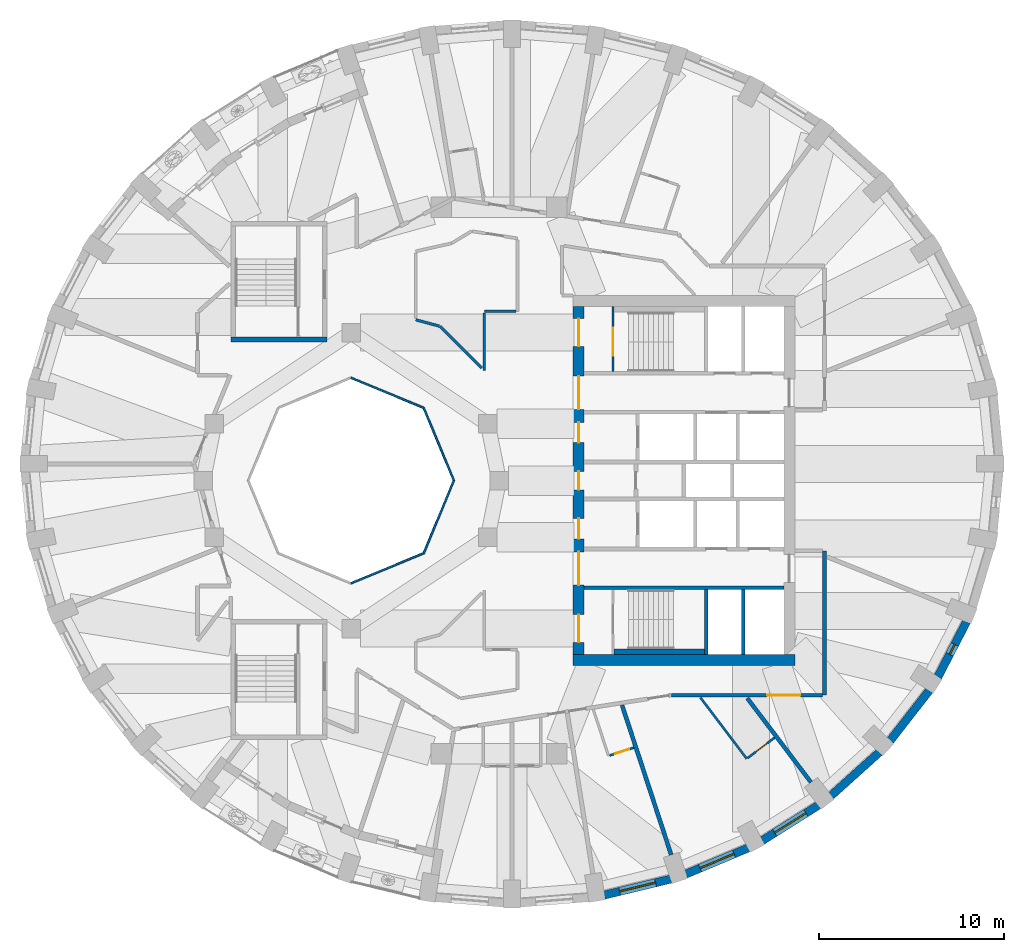
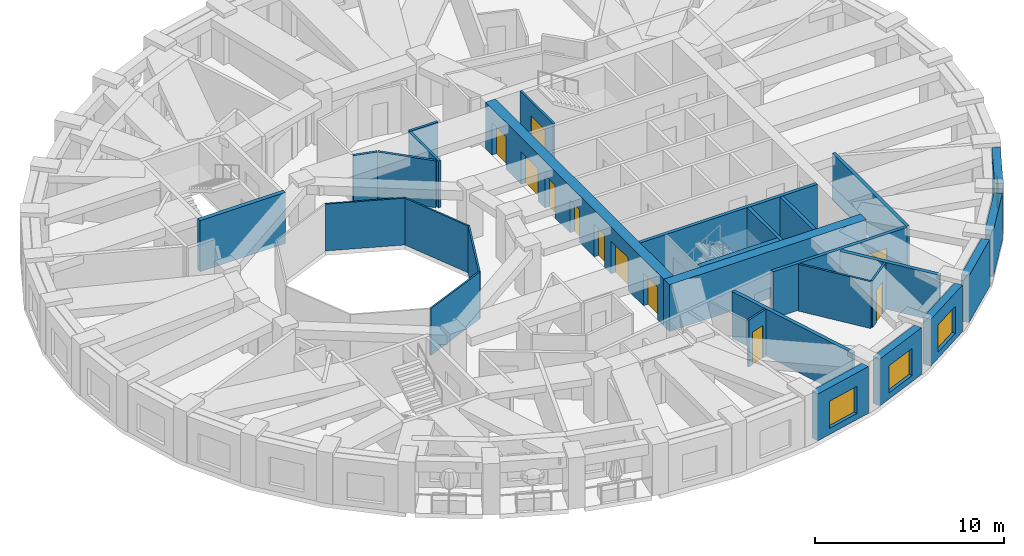
# One storey, part 5 of 12: 29 walls, 11 doors, 4 windows, 15 openings.
"""IFC4 building model written with IfcOpenShell, lengths in metres."""

from ifc_helpers import new_model, si_unit, direction, frame, frame_2d, origin, place, context, subcontext, project, spatial, rectangle, extrude, material, layer, layer_set, type_object, element, fill, save


model = new_model("IFC4")

# Units and contexts
model_context = context("Model", 3, precision=1e-05, world=origin(), true_north=direction((0.0, 1.0)))
body_context = subcontext(model_context, "Body", "Model", "MODEL_VIEW")
ifc_project = project(units=[si_unit("LENGTHUNIT", "METRE"), si_unit("AREAUNIT", "SQUARE_METRE"), si_unit("VOLUMEUNIT", "CUBIC_METRE"), si_unit("PLANEANGLEUNIT", "RADIAN"), si_unit("MASSUNIT", "GRAM", prefix="KILO")], contexts=[model_context])

# Site, building, storey
site_placement = place(None, origin())
site = spatial("IfcSite", under=ifc_project, at=site_placement, CompositionType="ELEMENT")
building_placement = place(site_placement, origin())
building = spatial("IfcBuilding", under=site, at=building_placement, Name="Taillehof Tower", CompositionType="ELEMENT")
storey_placement = place(building_placement, frame((0.0, 0.0, 215.60009765625)))
storey = spatial("IfcBuildingStorey", under=building, at=storey_placement, Name="L61", CompositionType="ELEMENT", Elevation=215.60009765625)

# Walls
ifc_material_1 = material(Name="Fire-resisting glass in steel frame", Category="steel")
ifc_layer_1 = layer(ifc_material_1, 0.10009765625)
ifc_layer_set_1 = layer_set([ifc_layer_1], Name="Atrium fire-resisting screen EI 60 100")
wall_type_1 = type_object("IfcWallType", Name="Atrium fire-resisting screen EI 60 100", PredefinedType="PARTITIONING", material=ifc_layer_set_1)
for number, where, z_axis, x_axis, name in (
    (1, (-2.44580078125, 0.0, 0.0), (0.0, 0.0, 1.0), (-0.382730523909, -0.923860025149, 0.0), "Atrium screen"),
    (2, (-4.07275390625, -3.92724609375, 0.0), (0.0, 0.0, 1.0), (-0.923860025149, -0.382730523909, 0.0), "Atrium screen"),
    (3, (-8.0, 5.55419921875, 0.0), (0.0, 0.0, 1.0), (0.923860025149, -0.382730523909, 0.0), "Atrium screen"),
    (4, (-4.07275390625, 3.92724609375, 0.0), (0.0, 0.0, 1.0), (0.382730523909, -0.923860025149, 0.0), "Atrium screen"),
):
    element("IfcWall", number, at=place(storey_placement, frame(where, z_axis=z_axis, x_axis=x_axis)), inside=storey, type_object=wall_type_1, Name=name, PredefinedType="PARTITIONING", context=body_context, shape_type="SweptSolid", body=[
        extrude(rectangle(XDim=4.2509765625, YDim=0.10009765625, at=frame_2d((2.12548828125, 0.0))), origin(), (0.0, 0.0, 1.0), 3.02001953125),
    ])

# Wall, opening, window
ifc_material_2 = material(Name="Brick masonry", Category="masonry")
ifc_layer_2 = layer(ifc_material_2, 0.449951171875)
ifc_layer_set_2 = layer_set([ifc_layer_2], Name="Brick infill wall 450")
wall_type_2 = type_object("IfcWallType", Name="Brick infill wall 450", PredefinedType="SOLIDWALL", material=ifc_layer_set_2)
wall_1_placement = place(storey_placement, frame((5.690673828125, -22.41357421875, 0.0), z_axis=(0.0, 0.0, 1.0), x_axis=(0.9721584944, 0.234324266275, 0.0)))
wall_1 = element("IfcWall", 5, at=wall_1_placement, inside=storey, type_object=wall_type_2, Name="Brick wall L61 bay 29", PredefinedType="SOLIDWALL", context=body_context, shape_type="SweptSolid", body=[
    extrude(rectangle(XDim=3.69775390625, YDim=0.449951171875, at=frame_2d((1.848876953125, 0.0))), origin(), (0.0, 0.0, 1.0), 3.02001953125),
])
opening_1_placement = place(wall_1_placement, frame((0.848876953125, 0.0, 0.39990234375)))
opening_1 = element("IfcOpeningElement", 6, at=opening_1_placement, cuts=wall_1, Name="Opening W2", PredefinedType="OPENING", context=body_context, shape_type="SweptSolid", body=[
    extrude(rectangle(XDim=2.0, YDim=1.75, at=frame_2d((1.0, 0.875))), frame((0.0, 0.23486328125, 0.0), z_axis=(0.0, -1.0, 0.0), x_axis=(1.0, 0.0, 0.0)), (0.0, 0.0, 1.0), 0.469970703125),
])
ifc_material_3 = material(Name="Aluminium window frame with clear double glazing", Category="aluminium")
window_type_1 = type_object("IfcWindowType", Name="Deep-set window 2000x1750", PartitioningType="SINGLE_PANEL", PredefinedType="WINDOW", material=ifc_material_3)
window_1_placement = place(opening_1_placement, origin())
window_1 = element("IfcWindow", 7, at=window_1_placement, inside=storey, type_object=window_type_1, Name="W2", OverallHeight=1.75, OverallWidth=2.0, PartitioningType="SINGLE_PANEL", PredefinedType="WINDOW", context=body_context, shape_type="SweptSolid", body=[
    extrude(rectangle(XDim=2.0, YDim=1.75, at=frame_2d((1.0, 0.875))), frame((0.0, 0.034912109375, 0.0), z_axis=(0.0, -1.0, 0.0), x_axis=(1.0, 0.0, 0.0)), (0.0, 0.0, 1.0), 0.06005859375),
])
fill(opening_1, window_1)

wall_2_placement = place(storey_placement, frame((10.1025390625, -21.279052734375, 0.0), z_axis=(0.0, 0.0, 1.0), x_axis=(0.922168222612, 0.386789050006, 0.0)))
wall_2 = element("IfcWall", 8, at=wall_2_placement, inside=storey, type_object=wall_type_2, Name="Brick wall L61 bay 30", PredefinedType="SOLIDWALL", context=body_context, shape_type="SweptSolid", body=[
    extrude(rectangle(XDim=3.65087890625, YDim=0.449951171875, at=frame_2d((1.825439453125, 0.0))), origin(), (0.0, 0.0, 1.0), 3.02001953125),
])
opening_2_placement = place(wall_2_placement, frame((0.825439453125, 0.0, 0.39990234375)))
opening_2 = element("IfcOpeningElement", 9, at=opening_2_placement, cuts=wall_2, Name="Opening W2", PredefinedType="OPENING", context=body_context, shape_type="SweptSolid", body=[
    extrude(rectangle(XDim=2.0, YDim=1.75, at=frame_2d((1.0, 0.875))), frame((0.0, 0.23486328125, 0.0), z_axis=(0.0, -1.0, 0.0), x_axis=(1.0, 0.0, 0.0)), (0.0, 0.0, 1.0), 0.469970703125),
])
window_2_placement = place(opening_2_placement, origin())
window_2 = element("IfcWindow", 10, at=window_2_placement, inside=storey, type_object=window_type_1, Name="W2", OverallHeight=1.75, OverallWidth=2.0, PartitioningType="SINGLE_PANEL", PredefinedType="WINDOW", context=body_context, shape_type="SweptSolid", body=[
    extrude(rectangle(XDim=2.0, YDim=1.75, at=frame_2d((1.0, 0.875))), frame((0.0, 0.034912109375, 0.0), z_axis=(0.0, -1.0, 0.0), x_axis=(1.0, 0.0, 0.0)), (0.0, 0.0, 1.0), 0.06005859375),
])
fill(opening_2, window_2)

wall_3_placement = place(storey_placement, frame((14.232421875, -19.469970703125, 0.0), z_axis=(0.0, 0.0, 1.0), x_axis=(0.84614984472, 0.532945063098, 0.0)))
wall_3 = element("IfcWall", 11, at=wall_3_placement, inside=storey, type_object=wall_type_2, Name="Brick wall L61 bay 31", PredefinedType="SOLIDWALL", context=body_context, shape_type="SweptSolid", body=[
    extrude(rectangle(XDim=3.58642578125, YDim=0.449951171875, at=frame_2d((1.793212890625, 0.0))), origin(), (0.0, 0.0, 1.0), 3.02001953125),
])
opening_3_placement = place(wall_3_placement, frame((0.79345703125, 0.0, 0.39990234375)))
opening_3 = element("IfcOpeningElement", 12, at=opening_3_placement, cuts=wall_3, Name="Opening W2", PredefinedType="OPENING", context=body_context, shape_type="SweptSolid", body=[
    extrude(rectangle(XDim=2.0, YDim=1.75, at=frame_2d((1.0, 0.875))), frame((0.0, 0.23486328125, 0.0), z_axis=(0.0, -1.0, 0.0), x_axis=(1.0, 0.0, 0.0)), (0.0, 0.0, 1.0), 0.469970703125),
])
window_3_placement = place(opening_3_placement, origin())
window_3 = element("IfcWindow", 13, at=window_3_placement, inside=storey, type_object=window_type_1, Name="W2", OverallHeight=1.75, OverallWidth=2.0, PartitioningType="SINGLE_PANEL", PredefinedType="WINDOW", context=body_context, shape_type="SweptSolid", body=[
    extrude(rectangle(XDim=2.0, YDim=1.75, at=frame_2d((1.0, 0.875))), frame((0.0, 0.034912109375, 0.0), z_axis=(0.0, -1.0, 0.0), x_axis=(1.0, 0.0, 0.0)), (0.0, 0.0, 1.0), 0.06005859375),
])
fill(opening_3, window_3)

# Walls
wall_4_placement = place(storey_placement, frame((17.953369140625, -17.039794921875, 0.0), z_axis=(0.0, 0.0, 1.0), x_axis=(0.743442727602, 0.668799604348, 0.0)))
element("IfcWall", 14, at=wall_4_placement, inside=storey, type_object=wall_type_2, Name="Brick wall L61 bay 32", PredefinedType="SOLIDWALL", context=body_context, shape_type="SweptSolid", body=[
    extrude(rectangle(XDim=3.5126953125, YDim=0.449951171875, at=frame_2d((1.75634765625, 0.0))), origin(), (0.0, 0.0, 1.0), 3.02001953125),
])
wall_5_placement = place(storey_placement, frame((21.1513671875, -14.06103515625, 0.0), z_axis=(0.0, 0.0, 1.0), x_axis=(0.614255239631, 0.789107407509, 0.0)))
element("IfcWall", 15, at=wall_5_placement, inside=storey, type_object=wall_type_2, Name="Brick wall L61 bay 33", PredefinedType="SOLIDWALL", context=body_context, shape_type="SweptSolid", body=[
    extrude(rectangle(XDim=3.4375, YDim=0.449951171875, at=frame_2d((1.71875, 0.0))), origin(), (0.0, 0.0, 1.0), 3.02001953125),
])

# Wall, opening, window
wall_6_placement = place(storey_placement, frame((23.72705078125, -10.6240234375, 0.0), z_axis=(0.0, 0.0, 1.0), x_axis=(0.460175500475, 0.887827972505, 0.0)))
wall_6 = element("IfcWall", 16, at=wall_6_placement, inside=storey, type_object=wall_type_2, Name="Brick wall L61 bay 34", PredefinedType="SOLIDWALL", context=body_context, shape_type="SweptSolid", body=[
    extrude(rectangle(XDim=3.37060546875, YDim=0.449951171875, at=frame_2d((1.685302734375, 0.0))), origin(), (0.0, 0.0, 1.0), 3.02001953125),
])
opening_4_placement = place(wall_6_placement, frame((1.38525390625, 0.0, 0.39990234375)))
opening_4 = element("IfcOpeningElement", 17, at=opening_4_placement, cuts=wall_6, Name="Opening W6", PredefinedType="OPENING", context=body_context, shape_type="SweptSolid", body=[
    extrude(rectangle(XDim=0.60009765625, YDim=1.75, at=frame_2d((0.300048828125, 0.875))), frame((0.0, 0.23486328125, 0.0), z_axis=(0.0, -1.0, 0.0), x_axis=(1.0, 0.0, 0.0)), (0.0, 0.0, 1.0), 0.469970703125),
])
ifc_material_4 = material(Name="Aluminium window frame with clear double glazing", Category="aluminium")
window_type_2 = type_object("IfcWindowType", Name="Slot window 600x1750", PartitioningType="SINGLE_PANEL", PredefinedType="WINDOW", material=ifc_material_4)
window_4_placement = place(opening_4_placement, origin())
window_4 = element("IfcWindow", 18, at=window_4_placement, inside=storey, type_object=window_type_2, Name="W6", OverallHeight=1.75, OverallWidth=0.60009765625, PartitioningType="SINGLE_PANEL", PredefinedType="WINDOW", context=body_context, shape_type="SweptSolid", body=[
    extrude(rectangle(XDim=0.60009765625, YDim=1.75, at=frame_2d((0.300048828125, 0.875))), frame((0.0, 0.034912109375, 0.0), z_axis=(0.0, -1.0, 0.0), x_axis=(1.0, 0.0, 0.0)), (0.0, 0.0, 1.0), 0.06005859375),
])
fill(opening_4, window_4)

# Wall
ifc_material_5 = material(Name="Gypsum board on steel studs, two layers each side", Category="steel")
ifc_layer_3 = layer(ifc_material_5, 0.199951171875)
ifc_layer_set_3 = layer_set([ifc_layer_3], Name="Compartment wall corridor 200")
wall_type_3 = type_object("IfcWallType", Name="Compartment wall corridor 200", PredefinedType="PARTITIONING", material=ifc_layer_set_3)
wall_7_placement = place(storey_placement, frame((17.60009765625, -3.800048828125, 0.0), z_axis=(0.0, 0.0, 1.0), x_axis=(0.0, -1.0, 0.0)))
element("IfcWall", 19, at=wall_7_placement, inside=storey, type_object=wall_type_3, Name="Compartment wall", PredefinedType="PARTITIONING", context=body_context, shape_type="SweptSolid", body=[
    extrude(rectangle(XDim=7.800048828125, YDim=0.199951171875, at=frame_2d((3.89990234375, 0.0))), origin(), (0.0, 0.0, 1.0), 3.02001953125),
])

# Wall, opening, door
wall_8_placement = place(storey_placement, frame((17.5, -11.60009765625, 0.0), z_axis=(0.0, 0.0, 1.0), x_axis=(-1.0, 0.0, 0.0)))
wall_8 = element("IfcWall", 20, at=wall_8_placement, inside=storey, type_object=wall_type_3, Name="Compartment wall", PredefinedType="PARTITIONING", context=body_context, shape_type="SweptSolid", body=[
    extrude(rectangle(XDim=8.173828125, YDim=0.199951171875, at=frame_2d((4.0869140625, 0.0))), origin(), (0.0, 0.0, 1.0), 3.02001953125),
])
opening_5_placement = place(wall_8_placement, frame((1.20849609375, 0.0, 0.0)))
opening_5 = element("IfcOpeningElement", 21, at=opening_5_placement, cuts=wall_8, Name="Opening D6162", PredefinedType="OPENING", context=body_context, shape_type="SweptSolid", body=[
    extrude(rectangle(XDim=1.800048828125, YDim=2.10009765625, at=frame_2d((0.89990234375, 1.050048828125))), frame((0.0, 0.10986328125, 0.0), z_axis=(0.0, -1.0, 0.0), x_axis=(1.0, 0.0, 0.0)), (0.0, 0.0, 1.0), 0.219970703125),
])
ifc_material_6 = material(Name="Timber door leaf in steel frame", Category="steel")
door_type_1 = type_object("IfcDoorType", Name="Lounge and meeting room double door EI 30 1800 x 2100", OperationType="SINGLE_SWING_LEFT", PredefinedType="DOOR", material=ifc_material_6)
door_1_placement = place(opening_5_placement, origin())
door_1 = element("IfcDoor", 22, at=door_1_placement, inside=storey, type_object=door_type_1, Name="D6162", OperationType="DOUBLE_DOOR_SINGLE_SWING", OverallHeight=2.10009765625, OverallWidth=1.800048828125, PredefinedType="DOOR", context=body_context, shape_type="SweptSolid", body=[
    extrude(rectangle(XDim=1.800048828125, YDim=2.10009765625, at=frame_2d((0.89990234375, 1.050048828125))), frame((0.0, 0.02490234375, 0.0), z_axis=(0.0, -1.0, 0.0), x_axis=(1.0, 0.0, 0.0)), (0.0, 0.0, 1.0), 0.050048828125),
])
fill(opening_5, door_1)

# Walls
ifc_material_7 = material(Name="Gypsum board on double steel studs with mineral wool", Category="steel")
ifc_layer_4 = layer(ifc_material_7, 0.219970703125)
ifc_layer_set_4 = layer_set([ifc_layer_4], Name="Compartment wall guest room 220")
wall_type_4 = type_object("IfcWallType", Name="Compartment wall guest room 220", PredefinedType="PARTITIONING", material=ifc_layer_set_4)
wall_9_placement = place(storey_placement, frame((9.30712890625, -20.2353515625, 0.0), z_axis=(0.0, 0.0, 1.0), x_axis=(-0.311959631661, 0.950095357432, 0.0)))
element("IfcWall", 23, at=wall_9_placement, inside=storey, type_object=wall_type_4, Name="Compartment wall", PredefinedType="PARTITIONING", context=body_context, shape_type="SweptSolid", body=[
    extrude(rectangle(XDim=8.517822265625, YDim=0.219970703125, at=frame_2d((4.2587890625, 0.0))), origin(), (0.0, 0.0, 1.0), 3.02001953125),
])
wall_10_placement = place(storey_placement, frame((16.86328125, -16.3125, 0.0), z_axis=(0.0, 0.0, 1.0), x_axis=(-0.603636051313, 0.797260006243, 0.0)))
element("IfcWall", 24, at=wall_10_placement, inside=storey, type_object=wall_type_4, Name="Compartment wall", PredefinedType="PARTITIONING", context=body_context, shape_type="SweptSolid", body=[
    extrude(rectangle(XDim=5.70556640625, YDim=0.219970703125, at=frame_2d((2.852783203125, 0.0))), origin(), (0.0, 0.0, 1.0), 3.02001953125),
])
ifc_material_8 = material(Name="Calcium silicate masonry", Category="masonry")
ifc_layer_5 = layer(ifc_material_8, 0.300048828125)
ifc_layer_set_5 = layer_set([ifc_layer_5], Name="Compartment wall lining calcium silicate 300")
wall_type_5 = type_object("IfcWallType", Name="Compartment wall lining calcium silicate 300", PredefinedType="PARTITIONING", material=ifc_layer_set_5)
wall_11_placement = place(storey_placement, frame((6.219970703125, -9.25, 0.0), z_axis=(0.0, 0.0, 1.0), x_axis=(1.0, 0.0, 0.0)))
element("IfcWall", 25, at=wall_11_placement, inside=storey, type_object=wall_type_5, Name="Compartment wall FW", PredefinedType="PARTITIONING", context=body_context, shape_type="SweptSolid", body=[
    extrude(rectangle(XDim=4.880126953125, YDim=0.300048828125, at=frame_2d((2.43994140625, 0.0))), origin(), (0.0, 0.0, 1.0), 3.02001953125),
])
ifc_material_9 = material(Name="Gypsum board on steel studs, two layers each side", Category="steel")
ifc_layer_6 = layer(ifc_material_9, 0.14990234375)
ifc_layer_set_6 = layer_set([ifc_layer_6], Name="Compartment wall service room 150")
wall_type_6 = type_object("IfcWallType", Name="Compartment wall service room 150", PredefinedType="PARTITIONING", material=ifc_layer_set_6)
wall_12_placement = place(storey_placement, frame((0.919921875, 9.14990234375, 0.0), z_axis=(0.0, 0.0, 1.0), x_axis=(-1.0, 0.0, 0.0)))
element("IfcWall", 26, at=wall_12_placement, inside=storey, type_object=wall_type_6, Name="Compartment wall", PredefinedType="PARTITIONING", context=body_context, shape_type="SweptSolid", body=[
    extrude(rectangle(XDim=1.719970703125, YDim=0.14990234375, at=frame_2d((0.85986328125, 0.0))), origin(), (0.0, 0.0, 1.0), 3.02001953125),
])
wall_13_placement = place(storey_placement, frame((-0.800048828125, 9.06982421875, 0.0), z_axis=(0.0, 0.0, 1.0), x_axis=(0.0, -1.0, 0.0)))
element("IfcWall", 27, at=wall_13_placement, inside=storey, type_object=wall_type_6, Name="Compartment wall", PredefinedType="PARTITIONING", context=body_context, shape_type="SweptSolid", body=[
    extrude(rectangle(XDim=3.11767578125, YDim=0.14990234375, at=frame_2d((1.558837890625, 0.0))), origin(), (0.0, 0.0, 1.0), 3.02001953125),
])
wall_14_placement = place(storey_placement, frame((-0.927490234375, 6.07958984375, 0.0), z_axis=(0.0, 0.0, 1.0), x_axis=(-0.707106781187, 0.707106781187, 0.0)))
element("IfcWall", 28, at=wall_14_placement, inside=storey, type_object=wall_type_6, Name="Compartment wall", PredefinedType="PARTITIONING", context=body_context, shape_type="SweptSolid", body=[
    extrude(rectangle(XDim=3.194091796875, YDim=0.14990234375, at=frame_2d((1.59716796875, 0.0))), origin(), (0.0, 0.0, 1.0), 3.02001953125),
])
wall_15_placement = place(storey_placement, frame((-3.224609375, 8.348388671875, 0.0), z_axis=(0.0, 0.0, 1.0), x_axis=(-0.965915035697, 0.258859312783, 0.0)))
element("IfcWall", 29, at=wall_15_placement, inside=storey, type_object=wall_type_6, Name="Compartment wall", PredefinedType="PARTITIONING", context=body_context, shape_type="SweptSolid", body=[
    extrude(rectangle(XDim=1.3203125, YDim=0.14990234375, at=frame_2d((0.66015625, 0.0))), origin(), (0.0, 0.0, 1.0), 3.02001953125),
])

# Wall, openings, doors
ifc_material_10 = material(Name="Concrete C80/95", Category="concrete")
ifc_layer_7 = layer(ifc_material_10, 0.60009765625)
ifc_layer_set_7 = layer_set([ifc_layer_7], Name="Core wall C80/95 600")
wall_type_7 = type_object("IfcWallType", Name="Core wall C80/95 600", PredefinedType="SHEAR", material=ifc_layer_set_7)
wall_16_placement = place(storey_placement, frame((4.300048828125, -9.39990234375, 0.0), z_axis=(0.0, 0.0, 1.0), x_axis=(0.0, 1.0, 0.0)))
wall_16 = element("IfcWall", 30, at=wall_16_placement, inside=storey, type_object=wall_type_7, Name="Core wall CW01", PredefinedType="SHEAR", context=body_context, shape_type="SweptSolid", body=[
    extrude(rectangle(XDim=18.7998046875, YDim=0.60009765625, at=frame_2d((9.39990234375, 0.0))), origin(), (0.0, 0.0, 1.0), 3.02001953125),
])
opening_6_placement = place(wall_16_placement, frame((0.64990234375, 0.0, 0.0)))
opening_6 = element("IfcOpeningElement", 31, at=opening_6_placement, cuts=wall_16, Name="Opening D6101", PredefinedType="OPENING", context=body_context, shape_type="SweptSolid", body=[
    extrude(rectangle(XDim=1.5, YDim=2.10009765625, at=frame_2d((0.75, 1.050048828125))), frame((0.0, 0.31005859375, 0.0), z_axis=(0.0, -1.0, 0.0), x_axis=(1.0, 0.0, 0.0)), (0.0, 0.0, 1.0), 0.6201171875),
])
opening_7_placement = place(wall_16_placement, frame((3.75, 0.0, 0.0)))
opening_7 = element("IfcOpeningElement", 32, at=opening_7_placement, cuts=wall_16, Name="Opening D6102", PredefinedType="OPENING", context=body_context, shape_type="SweptSolid", body=[
    extrude(rectangle(XDim=1.800048828125, YDim=2.10009765625, at=frame_2d((0.89990234375, 1.050048828125))), frame((0.0, 0.31005859375, 0.0), z_axis=(0.0, -1.0, 0.0), x_axis=(1.0, 0.0, 0.0)), (0.0, 0.0, 1.0), 0.6201171875),
])
opening_8_placement = place(wall_16_placement, frame((6.25, 0.0, 0.0)))
opening_8 = element("IfcOpeningElement", 33, at=opening_8_placement, cuts=wall_16, Name="Opening D6103", PredefinedType="OPENING", context=body_context, shape_type="SweptSolid", body=[
    extrude(rectangle(XDim=1.10009765625, YDim=2.10009765625, at=frame_2d((0.550048828125, 1.050048828125))), frame((0.0, 0.31005859375, 0.0), z_axis=(0.0, -1.0, 0.0), x_axis=(1.0, 0.0, 0.0)), (0.0, 0.0, 1.0), 0.6201171875),
])
opening_9_placement = place(wall_16_placement, frame((8.89990234375, 0.0, 0.0)))
opening_9 = element("IfcOpeningElement", 34, at=opening_9_placement, cuts=wall_16, Name="Opening D6104", PredefinedType="OPENING", context=body_context, shape_type="SweptSolid", body=[
    extrude(rectangle(XDim=1.0, YDim=2.10009765625, at=frame_2d((0.5, 1.050048828125))), frame((0.0, 0.31005859375, 0.0), z_axis=(0.0, -1.0, 0.0), x_axis=(1.0, 0.0, 0.0)), (0.0, 0.0, 1.0), 0.6201171875),
])
opening_10_placement = place(wall_16_placement, frame((11.449951171875, 0.0, 0.0)))
opening_10 = element("IfcOpeningElement", 35, at=opening_10_placement, cuts=wall_16, Name="Opening D6105", PredefinedType="OPENING", context=body_context, shape_type="SweptSolid", body=[
    extrude(rectangle(XDim=1.10009765625, YDim=2.10009765625, at=frame_2d((0.550048828125, 1.050048828125))), frame((0.0, 0.31005859375, 0.0), z_axis=(0.0, -1.0, 0.0), x_axis=(1.0, 0.0, 0.0)), (0.0, 0.0, 1.0), 0.6201171875),
])
opening_11_placement = place(wall_16_placement, frame((13.25, 0.0, 0.0)))
opening_11 = element("IfcOpeningElement", 36, at=opening_11_placement, cuts=wall_16, Name="Opening D6106", PredefinedType="OPENING", context=body_context, shape_type="SweptSolid", body=[
    extrude(rectangle(XDim=1.800048828125, YDim=2.10009765625, at=frame_2d((0.89990234375, 1.050048828125))), frame((0.0, 0.31005859375, 0.0), z_axis=(0.0, -1.0, 0.0), x_axis=(1.0, 0.0, 0.0)), (0.0, 0.0, 1.0), 0.6201171875),
])
opening_12_placement = place(wall_16_placement, frame((16.64990234375, 0.0, 0.0)))
opening_12 = element("IfcOpeningElement", 37, at=opening_12_placement, cuts=wall_16, Name="Opening D6107", PredefinedType="OPENING", context=body_context, shape_type="SweptSolid", body=[
    extrude(rectangle(XDim=1.5, YDim=2.10009765625, at=frame_2d((0.75, 1.050048828125))), frame((0.0, 0.31005859375, 0.0), z_axis=(0.0, -1.0, 0.0), x_axis=(1.0, 0.0, 0.0)), (0.0, 0.0, 1.0), 0.6201171875),
])
ifc_material_11 = material(Name="Steel-faced fire door", Category="steel")
door_type_2 = type_object("IfcDoorType", Name="Firefighting lobby door 1100x2100", OperationType="SINGLE_SWING_RIGHT", PredefinedType="DOOR", material=ifc_material_11)
door_2_placement = place(opening_8_placement, origin())
door_2 = element("IfcDoor", 38, at=door_2_placement, inside=storey, type_object=door_type_2, Name="Firefighting lobby door FFL-S", OperationType="SINGLE_SWING_RIGHT", OverallHeight=2.10009765625, OverallWidth=1.10009765625, PredefinedType="DOOR", context=body_context, shape_type="SweptSolid", body=[
    extrude(rectangle(XDim=1.10009765625, YDim=2.10009765625, at=frame_2d((0.550048828125, 1.050048828125))), frame((0.0, 0.02490234375, 0.0), z_axis=(0.0, -1.0, 0.0), x_axis=(1.0, 0.0, 0.0)), (0.0, 0.0, 1.0), 0.050048828125),
])
fill(opening_8, door_2)
door_3_placement = place(opening_10_placement, origin())
door_3 = element("IfcDoor", 39, at=door_3_placement, inside=storey, type_object=door_type_2, Name="Firefighting lobby door FFL-N", OperationType="SINGLE_SWING_LEFT", OverallHeight=2.10009765625, OverallWidth=1.10009765625, PredefinedType="DOOR", context=body_context, shape_type="SweptSolid", body=[
    extrude(rectangle(XDim=1.10009765625, YDim=2.10009765625, at=frame_2d((0.550048828125, 1.050048828125))), frame((0.0, 0.02490234375, 0.0), z_axis=(0.0, -1.0, 0.0), x_axis=(1.0, 0.0, 0.0)), (0.0, 0.0, 1.0), 0.050048828125),
])
fill(opening_10, door_3)
ifc_material_12 = material(Name="Steel-faced fire door", Category="steel")
door_type_3 = type_object("IfcDoorType", Name="Lift lobby door 1800x2100", OperationType="DOUBLE_DOOR_SINGLE_SWING", PredefinedType="DOOR", material=ifc_material_12)
door_4_placement = place(opening_7_placement, origin())
door_4 = element("IfcDoor", 40, at=door_4_placement, inside=storey, type_object=door_type_3, Name="Lift lobby door LL-S", OperationType="DOUBLE_DOOR_SINGLE_SWING", OverallHeight=2.10009765625, OverallWidth=1.800048828125, PredefinedType="DOOR", context=body_context, shape_type="SweptSolid", body=[
    extrude(rectangle(XDim=1.800048828125, YDim=2.10009765625, at=frame_2d((0.89990234375, 1.050048828125))), frame((0.0, 0.02490234375, 0.0), z_axis=(0.0, -1.0, 0.0), x_axis=(1.0, 0.0, 0.0)), (0.0, 0.0, 1.0), 0.050048828125),
])
fill(opening_7, door_4)
door_5_placement = place(opening_11_placement, origin())
door_5 = element("IfcDoor", 41, at=door_5_placement, inside=storey, type_object=door_type_3, Name="Lift lobby door LL-N", OperationType="DOUBLE_DOOR_SINGLE_SWING", OverallHeight=2.10009765625, OverallWidth=1.800048828125, PredefinedType="DOOR", context=body_context, shape_type="SweptSolid", body=[
    extrude(rectangle(XDim=1.800048828125, YDim=2.10009765625, at=frame_2d((0.89990234375, 1.050048828125))), frame((0.0, 0.02490234375, 0.0), z_axis=(0.0, -1.0, 0.0), x_axis=(1.0, 0.0, 0.0)), (0.0, 0.0, 1.0), 0.050048828125),
])
fill(opening_11, door_5)
ifc_material_13 = material(Name="Steel-faced fire door", Category="steel")
door_type_4 = type_object("IfcDoorType", Name="Service door 1000x2100", OperationType="SINGLE_SWING_RIGHT", PredefinedType="DOOR", material=ifc_material_13)
door_6_placement = place(opening_9_placement, origin())
door_6 = element("IfcDoor", 42, at=door_6_placement, inside=storey, type_object=door_type_4, Name="Service door SV", OperationType="SINGLE_SWING_RIGHT", OverallHeight=2.10009765625, OverallWidth=1.0, PredefinedType="DOOR", context=body_context, shape_type="SweptSolid", body=[
    extrude(rectangle(XDim=1.0, YDim=2.10009765625, at=frame_2d((0.5, 1.050048828125))), frame((0.0, 0.02490234375, 0.0), z_axis=(0.0, -1.0, 0.0), x_axis=(1.0, 0.0, 0.0)), (0.0, 0.0, 1.0), 0.050048828125),
])
fill(opening_9, door_6)
ifc_material_14 = material(Name="Steel-faced fire door", Category="steel")
door_type_5 = type_object("IfcDoorType", Name="Stair door 1500x2100", OperationType="DOUBLE_DOOR_SINGLE_SWING", PredefinedType="DOOR", material=ifc_material_14)
door_7_placement = place(opening_6_placement, origin())
door_7 = element("IfcDoor", 43, at=door_7_placement, inside=storey, type_object=door_type_5, Name="Stair door S2", OperationType="DOUBLE_DOOR_SINGLE_SWING", OverallHeight=2.10009765625, OverallWidth=1.5, PredefinedType="DOOR", context=body_context, shape_type="SweptSolid", body=[
    extrude(rectangle(XDim=1.5, YDim=2.10009765625, at=frame_2d((0.75, 1.050048828125))), frame((0.0, 0.02490234375, 0.0), z_axis=(0.0, -1.0, 0.0), x_axis=(1.0, 0.0, 0.0)), (0.0, 0.0, 1.0), 0.050048828125),
])
fill(opening_6, door_7)
door_8_placement = place(opening_12_placement, origin())
door_8 = element("IfcDoor", 44, at=door_8_placement, inside=storey, type_object=door_type_5, Name="Stair door S1", OperationType="DOUBLE_DOOR_SINGLE_SWING", OverallHeight=2.10009765625, OverallWidth=1.5, PredefinedType="DOOR", context=body_context, shape_type="SweptSolid", body=[
    extrude(rectangle(XDim=1.5, YDim=2.10009765625, at=frame_2d((0.75, 1.050048828125))), frame((0.0, 0.02490234375, 0.0), z_axis=(0.0, -1.0, 0.0), x_axis=(1.0, 0.0, 0.0)), (0.0, 0.0, 1.0), 0.050048828125),
])
fill(opening_12, door_8)

# Walls
wall_17_placement = place(storey_placement, frame((4.0, -9.699951171875, 0.0), z_axis=(0.0, 0.0, 1.0), x_axis=(1.0, 0.0, 0.0)))
element("IfcWall", 45, at=wall_17_placement, inside=storey, type_object=wall_type_7, Name="Core wall CW07", PredefinedType="SHEAR", context=body_context, shape_type="SweptSolid", body=[
    extrude(rectangle(XDim=12.0, YDim=0.60009765625, at=frame_2d((6.0, 0.0))), origin(), (0.0, 0.0, 1.0), 3.02001953125),
])
ifc_material_15 = material(Name="Gypsum board on steel studs, moisture resistant", Category="steel")
ifc_layer_8 = layer(ifc_material_15, 0.1201171875)
ifc_layer_set_8 = layer_set([ifc_layer_8], Name="En-suite wall 120")
wall_type_8 = type_object("IfcWallType", Name="En-suite wall 120", PredefinedType="PARTITIONING", material=ifc_layer_set_8)
wall_18_placement = place(storey_placement, frame((10.88671875, -11.73193359375, 0.0), z_axis=(0.0, 0.0, 1.0), x_axis=(0.603646932038, -0.797251767913, 0.0)))
element("IfcWall", 46, at=wall_18_placement, inside=storey, type_object=wall_type_8, Name="En-suite wall", PredefinedType="PARTITIONING", context=body_context, shape_type="SweptSolid", body=[
    extrude(rectangle(XDim=4.148681640625, YDim=0.1201171875, at=frame_2d((2.07421875, 0.0))), origin(), (0.0, 0.0, 1.0), 3.02001953125),
])

# Wall, opening, door
wall_19_placement = place(storey_placement, frame((5.97607421875, -14.8671875, 0.0), z_axis=(0.0, 0.0, 1.0), x_axis=(0.950123887932, 0.311872726573, 0.0)))
wall_19 = element("IfcWall", 47, at=wall_19_placement, inside=storey, type_object=wall_type_8, Name="En-suite wall", PredefinedType="PARTITIONING", context=body_context, shape_type="SweptSolid", body=[
    extrude(rectangle(XDim=1.380126953125, YDim=0.1201171875, at=frame_2d((0.68994140625, 0.0))), origin(), (0.0, 0.0, 1.0), 3.02001953125),
])
opening_13_placement = place(wall_19_placement, frame((0.31494140625, 0.0, 0.0)))
opening_13 = element("IfcOpeningElement", 48, at=opening_13_placement, cuts=wall_19, Name="Opening D6159", PredefinedType="OPENING", context=body_context, shape_type="SweptSolid", body=[
    extrude(rectangle(XDim=0.800048828125, YDim=2.10009765625, at=frame_2d((0.39990234375, 1.050048828125))), frame((0.0, 0.070068359375, 0.0), z_axis=(0.0, -1.0, 0.0), x_axis=(1.0, 0.0, 0.0)), (0.0, 0.0, 1.0), 0.14013671875),
])
ifc_material_16 = material(Name="Timber door leaf in steel frame", Category="steel")
door_type_6 = type_object("IfcDoorType", Name="En-suite door 800 x 2100", OperationType="SINGLE_SWING_LEFT", PredefinedType="DOOR", material=ifc_material_16)
door_9_placement = place(opening_13_placement, origin())
door_9 = element("IfcDoor", 49, at=door_9_placement, inside=storey, type_object=door_type_6, Name="D6159", OperationType="SINGLE_SWING_LEFT", OverallHeight=2.10009765625, OverallWidth=0.800048828125, PredefinedType="DOOR", context=body_context, shape_type="SweptSolid", body=[
    extrude(rectangle(XDim=0.800048828125, YDim=2.10009765625, at=frame_2d((0.39990234375, 1.050048828125))), frame((0.0, 0.02490234375, 0.0), z_axis=(0.0, -1.0, 0.0), x_axis=(1.0, 0.0, 0.0)), (0.0, 0.0, 1.0), 0.050048828125),
])
fill(opening_13, door_9)

wall_20_placement = place(storey_placement, frame((13.43896484375, -15.00341796875, 0.0), z_axis=(0.0, 0.0, 1.0), x_axis=(0.797238062708, 0.603665032422, 0.0)))
wall_20 = element("IfcWall", 50, at=wall_20_placement, inside=storey, type_object=wall_type_8, Name="En-suite wall", PredefinedType="PARTITIONING", context=body_context, shape_type="SweptSolid", body=[
    extrude(rectangle(XDim=1.830078125, YDim=0.1201171875, at=frame_2d((0.9150390625, 0.0))), origin(), (0.0, 0.0, 1.0), 3.02001953125),
])
opening_14_placement = place(wall_20_placement, frame((0.5400390625, 0.0, 0.0)))
opening_14 = element("IfcOpeningElement", 51, at=opening_14_placement, cuts=wall_20, Name="Opening D6161", PredefinedType="OPENING", context=body_context, shape_type="SweptSolid", body=[
    extrude(rectangle(XDim=0.800048828125, YDim=2.10009765625, at=frame_2d((0.39990234375, 1.050048828125))), frame((0.0, 0.070068359375, 0.0), z_axis=(0.0, -1.0, 0.0), x_axis=(1.0, 0.0, 0.0)), (0.0, 0.0, 1.0), 0.14013671875),
])
door_10_placement = place(opening_14_placement, origin())
door_10 = element("IfcDoor", 52, at=door_10_placement, inside=storey, type_object=door_type_6, Name="D6161", OperationType="SINGLE_SWING_LEFT", OverallHeight=2.10009765625, OverallWidth=0.800048828125, PredefinedType="DOOR", context=body_context, shape_type="SweptSolid", body=[
    extrude(rectangle(XDim=0.800048828125, YDim=2.10009765625, at=frame_2d((0.39990234375, 1.050048828125))), frame((0.0, 0.02490234375, 0.0), z_axis=(0.0, -1.0, 0.0), x_axis=(1.0, 0.0, 0.0)), (0.0, 0.0, 1.0), 0.050048828125),
])
fill(opening_14, door_10)

# Walls
ifc_material_17 = material(Name="Concrete C50/60", Category="concrete")
ifc_layer_9 = layer(ifc_material_17, 0.199951171875)
ifc_layer_set_9 = layer_set([ifc_layer_9], Name="Shaft wall C50/60 200")
wall_type_9 = type_object("IfcWallType", Name="Shaft wall C50/60 200", PredefinedType="SHEAR", material=ifc_layer_set_9)
wall_21_placement = place(storey_placement, frame((4.60009765625, -5.800048828125, 0.0), z_axis=(0.0, 0.0, 1.0), x_axis=(1.0, 0.0, 0.0)))
element("IfcWall", 53, at=wall_21_placement, inside=storey, type_object=wall_type_9, Name="Shaft wall SW", PredefinedType="SHEAR", context=body_context, shape_type="SweptSolid", body=[
    extrude(rectangle(XDim=10.7998046875, YDim=0.199951171875, at=frame_2d((5.39990234375, 0.0))), origin(), (0.0, 0.0, 1.0), 3.02001953125),
])
for number, where, z_axis, x_axis, name in (
    (54, (11.199951171875, -9.39990234375, 0.0), (0.0, 0.0, 1.0), (0.0, 1.0, 0.0), "Shaft wall SW"),
    (55, (13.199951171875, -9.39990234375, 0.0), (0.0, 0.0, 1.0), (0.0, 1.0, 0.0), "Shaft wall SW"),
):
    element("IfcWall", number, at=place(storey_placement, frame(where, z_axis=z_axis, x_axis=x_axis)), inside=storey, type_object=wall_type_9, Name=name, PredefinedType="SHEAR", context=body_context, shape_type="SweptSolid", body=[
        extrude(rectangle(XDim=3.5, YDim=0.199951171875, at=frame_2d((1.75, 0.0))), origin(), (0.0, 0.0, 1.0), 3.02001953125),
    ])

# Wall, opening, door
ifc_material_18 = material(Name="Concrete C50/60", Category="concrete")
ifc_layer_10 = layer(ifc_material_18, 0.1201171875)
ifc_layer_set_10 = layer_set([ifc_layer_10], Name="Stair lobby wall C50/60 120")
wall_type_10 = type_object("IfcWallType", Name="Stair lobby wall C50/60 120", PredefinedType="SHEAR", material=ifc_layer_set_10)
wall_22_placement = place(storey_placement, frame((6.159912109375, 5.89990234375, 0.0), z_axis=(0.0, 0.0, 1.0), x_axis=(0.0, 1.0, 0.0)))
wall_22 = element("IfcWall", 56, at=wall_22_placement, inside=storey, type_object=wall_type_10, Name="Compartment wall SW", PredefinedType="SHEAR", context=body_context, shape_type="SweptSolid", body=[
    extrude(rectangle(XDim=3.5, YDim=0.1201171875, at=frame_2d((1.75, 0.0))), origin(), (0.0, 0.0, 1.0), 3.02001953125),
])
opening_15_placement = place(wall_22_placement, frame((0.85009765625, 0.0, 0.0)))
opening_15 = element("IfcOpeningElement", 57, at=opening_15_placement, cuts=wall_22, Name="Opening D6110", PredefinedType="OPENING", context=body_context, shape_type="SweptSolid", body=[
    extrude(rectangle(XDim=1.5, YDim=2.10009765625, at=frame_2d((0.75, 1.050048828125))), frame((0.0, 0.070068359375, 0.0), z_axis=(0.0, -1.0, 0.0), x_axis=(1.0, 0.0, 0.0)), (0.0, 0.0, 1.0), 0.14013671875),
])
door_11_placement = place(opening_15_placement, origin())
door_11 = element("IfcDoor", 58, at=door_11_placement, inside=storey, type_object=door_type_5, Name="Stair lobby door S1", OperationType="DOUBLE_DOOR_SINGLE_SWING", OverallHeight=2.10009765625, OverallWidth=1.5, PredefinedType="DOOR", context=body_context, shape_type="SweptSolid", body=[
    extrude(rectangle(XDim=1.5, YDim=2.10009765625, at=frame_2d((0.75, 1.050048828125))), frame((0.0, 0.02490234375, 0.0), z_axis=(0.0, -1.0, 0.0), x_axis=(1.0, 0.0, 0.0)), (0.0, 0.0, 1.0), 0.050048828125),
])
fill(opening_15, door_11)

# Wall
ifc_material_19 = material(Name="Concrete C50/60", Category="concrete")
ifc_layer_11 = layer(ifc_material_19, 0.25)
ifc_layer_set_11 = layer_set([ifc_layer_11], Name="Stair wall C50/60 250")
wall_type_11 = type_object("IfcWallType", Name="Stair wall C50/60 250", PredefinedType="SHEAR", material=ifc_layer_set_11)
wall_23_placement = place(storey_placement, frame((-14.5, 7.625, -0.280029296875), z_axis=(0.0, 0.0, 1.0), x_axis=(1.0, 0.0, 0.0)))
element("IfcWall", 59, at=wall_23_placement, inside=storey, type_object=wall_type_11, Name="Stair wall SC", PredefinedType="SHEAR", context=body_context, shape_type="SweptSolid", body=[
    extrude(rectangle(XDim=5.199951171875, YDim=0.25, at=frame_2d((2.60009765625, 0.0))), origin(), (0.0, 0.0, 1.0), 3.300048828125),
])

save(model, "model.ifc")
